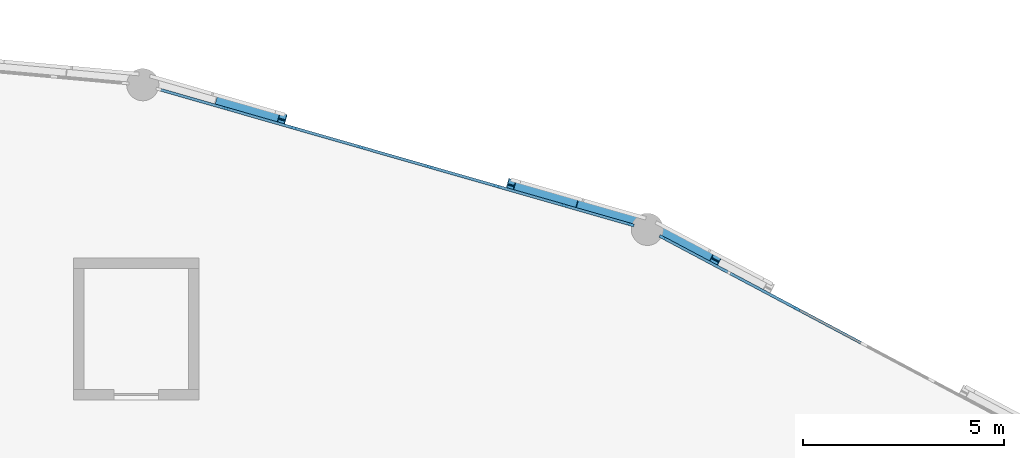
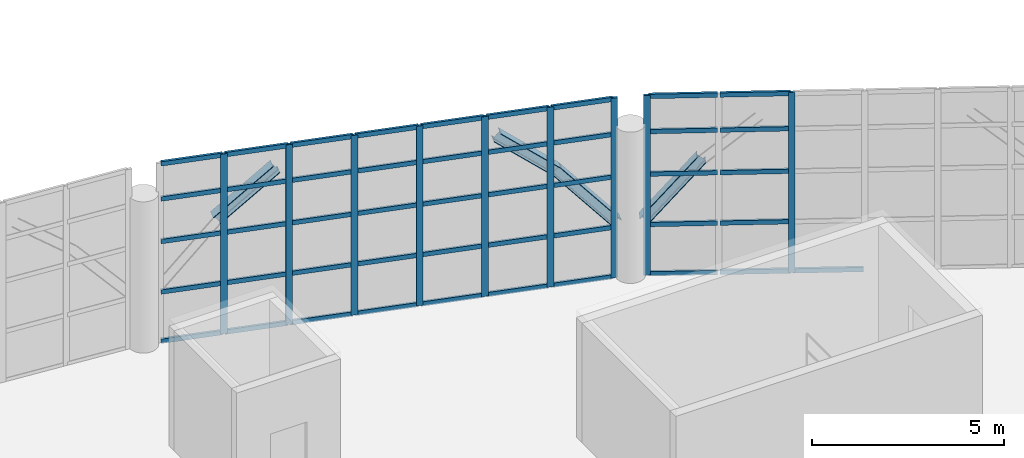
# One storey, part 44 of 109: 55 members, 4 beams, 2 elements without a shape of their own.
"""IFC4 building model written with IfcOpenShell, lengths in metres."""

from ifc_helpers import new_model, si_unit, direction, frame, origin, origin_2d, place, context, subcontext, project, spatial, rectangle, i_section, extrude, material, layer, layer_set, material_profile, profile_set, type_object, element, aggregate, save


model = new_model("IFC4")

# Units and contexts
model_context = context("Model", 3, precision=1e-05, world=origin(), true_north=direction((0.0, 1.0)))
body_context = subcontext(model_context, "Body", "Model", "MODEL_VIEW")
ifc_project = project(units=[si_unit("LENGTHUNIT", "METRE"), si_unit("AREAUNIT", "SQUARE_METRE"), si_unit("VOLUMEUNIT", "CUBIC_METRE"), si_unit("PLANEANGLEUNIT", "RADIAN"), si_unit("MASSUNIT", "GRAM", prefix="KILO")], contexts=[model_context])

# Site, building, storey
site_placement = place(None, origin())
site = spatial("IfcSite", under=ifc_project, at=site_placement, CompositionType="ELEMENT")
building_placement = place(site_placement, origin())
building = spatial("IfcBuilding", under=site, at=building_placement, Name="Kivolera Central Railway Station", CompositionType="ELEMENT")
storey_placement = place(building_placement, frame((0.0, 0.0, 9.60009765625)))
storey = spatial("IfcBuildingStorey", under=building, at=storey_placement, Name="L02", CompositionType="ELEMENT", Elevation=9.60009765625)

# Beams
ifc_material_1 = material(Name="Steel S355", Category="steel")
ifc_material_profile_1 = material_profile(ifc_material_1, i_section(OverallWidth=0.300048828125, OverallDepth=0.300048828125, WebThickness=0.010986328125, FlangeThickness=0.01904296875, FilletRadius=0.027099609375, at=origin_2d()), Name="HEB 300")
ifc_profile_set_1 = profile_set([ifc_material_profile_1], Name="Steel S355")
beam_type = type_object("IfcBeamType", Name="BM-LANT-ARCH", PredefinedType="SPANDREL", material=ifc_profile_set_1)
beam_1_placement = place(storey_placement, frame((91.68798828125, 120.416015625, 3.599853515625), z_axis=(-0.545509681166, 0.289732540923, -0.786431333611), x_axis=(-0.469067500221, -0.88316231817, 0.0)))
element("IfcBeam", 1, at=beam_1_placement, inside=storey, type_object=beam_type, Name="Oval Lantern Structural Arch Rib 04.6", PredefinedType="SPANDREL", context=body_context, shape_type="SweptSolid", body=[
    extrude(i_section(OverallWidth=0.300048828125, OverallDepth=0.300048828125, WebThickness=0.010986328125, FlangeThickness=0.01904296875, FilletRadius=0.027099609375, at=origin_2d()), origin(), (0.0, 0.0, 1.0), 2.415771484375),
])
beam_2_placement = place(storey_placement, frame((89.69189453125, 121.389892578125, 1.699951171875), z_axis=(-0.620136976598, 0.177813183125, 0.764076306505), x_axis=(-0.275625562891, -0.961265077427, 0.0)))
element("IfcBeam", 2, at=beam_2_placement, inside=storey, type_object=beam_type, Name="Oval Lantern Structural Arch Rib 05.1", PredefinedType="SPANDREL", context=body_context, shape_type="SweptSolid", body=[
    extrude(i_section(OverallWidth=0.300048828125, OverallDepth=0.300048828125, WebThickness=0.010986328125, FlangeThickness=0.01904296875, FilletRadius=0.027099609375, at=origin_2d()), origin(), (0.0, 0.0, 1.0), 2.486572265625),
])
beam_3_placement = place(storey_placement, frame((88.14990234375, 121.83203125, 3.599853515625), z_axis=(-0.732995328779, 0.210190358855, 0.646945021646), x_axis=(-0.275646238787, -0.961259148743, 0.0)))
element("IfcBeam", 3, at=beam_3_placement, inside=storey, type_object=beam_type, Name="Oval Lantern Structural Arch Rib 05.2", PredefinedType="SPANDREL", context=body_context, shape_type="SweptSolid", body=[
    extrude(i_section(OverallWidth=0.300048828125, OverallDepth=0.300048828125, WebThickness=0.010986328125, FlangeThickness=0.01904296875, FilletRadius=0.027099609375, at=origin_2d()), origin(), (0.0, 0.0, 1.0), 2.102294921875),
])
beam_4_placement = place(storey_placement, frame((80.9169921875, 123.906005859375, 4.9599609375), z_axis=(-0.733210155687, 0.21011880649, -0.646724790585), x_axis=(-0.275484921, -0.961305392839, 0.0)))
element("IfcBeam", 4, at=beam_4_placement, inside=storey, type_object=beam_type, Name="Oval Lantern Structural Arch Rib 05.5", PredefinedType="SPANDREL", context=body_context, shape_type="SweptSolid", body=[
    extrude(i_section(OverallWidth=0.300048828125, OverallDepth=0.300048828125, WebThickness=0.010986328125, FlangeThickness=0.01904296875, FilletRadius=0.027099609375, at=origin_2d()), origin(), (0.0, 0.0, 1.0), 2.10302734375),
])

# Curtain wall, members
ifc_material_2 = material(Name="Anodised aluminium", Category="aluminium")
ifc_layer_1 = layer(ifc_material_2, 0.179931640625, Name="Anodised aluminium")
ifc_layer_set_1 = layer_set([ifc_layer_1], Name="Anodised aluminium")
curtain_wall_type_1 = type_object("IfcCurtainWallType", Name="CW-SYS-09", PredefinedType="NOTDEFINED", material=ifc_layer_set_1)
curtain_wall_1_placement = place(storey_placement, origin())
curtain_wall_1 = element("IfcCurtainWall", 5, at=curtain_wall_1_placement, inside=storey, type_object=curtain_wall_type_1, Name="L02 Curtain Wall CW-L02-OVL-03", PredefinedType="NOTDEFINED")
ifc_material_profile_2 = material_profile(ifc_material_2, rectangle(XDim=0.070068359375, YDim=0.179931640625, at=origin_2d()), Name="ALU MULL 70x180")
ifc_profile_set_2 = profile_set([ifc_material_profile_2], Name="Anodised aluminium")
member_type_1 = type_object("IfcMemberType", Name="CWM-MUL-1", PredefinedType="MULLION", material=ifc_profile_set_2)
member_1_placement = place(storey_placement, frame((90.3837890625, 120.97265625, -0.005126953125), z_axis=(0.0, 0.0, 1.0), x_axis=(0.469052563023, 0.883170251493, 0.0)))
member_1 = element("IfcMember", 6, at=member_1_placement, type_object=member_type_1, Name="CW-09 mullion 1", PredefinedType="MULLION", context=body_context, shape_type="SweptSolid", body=[
    extrude(rectangle(XDim=0.070068359375, YDim=0.179931640625, at=origin_2d()), origin(), (0.0, 0.0, 1.0), 5.705078125),
])
member_2_placement = place(storey_placement, frame((93.707763671875, 119.207275390625, -0.005126953125), z_axis=(0.0, 0.0, 1.0), x_axis=(0.469052563023, 0.883170251493, 0.0)))
member_2 = element("IfcMember", 7, at=member_2_placement, type_object=member_type_1, Name="CW-09 mullion 3", PredefinedType="MULLION", context=body_context, shape_type="SweptSolid", body=[
    extrude(rectangle(XDim=0.070068359375, YDim=0.179931640625, at=origin_2d()), origin(), (0.0, 0.0, 1.0), 5.705078125),
])

ifc_layer_2 = layer(ifc_material_2, 0.179931640625, Name="Anodised aluminium")
ifc_layer_set_2 = layer_set([ifc_layer_2], Name="Anodised aluminium")
curtain_wall_type_2 = type_object("IfcCurtainWallType", Name="CW-SYS-11", PredefinedType="NOTDEFINED", material=ifc_layer_set_2)
curtain_wall_2_placement = place(storey_placement, origin())
curtain_wall_2 = element("IfcCurtainWall", 8, at=curtain_wall_2_placement, inside=storey, type_object=curtain_wall_type_2, Name="L02 Curtain Wall CW-L02-OVL-04", PredefinedType="NOTDEFINED")
member_3_placement = place(storey_placement, frame((79.525634765625, 124.1806640625, -0.005126953125), z_axis=(0.0, 0.0, 1.0), x_axis=(0.27569168989, 0.961246114232, 0.0)))
member_3 = element("IfcMember", 9, at=member_3_placement, type_object=member_type_1, Name="CW-11 mullion 2", PredefinedType="MULLION", context=body_context, shape_type="SweptSolid", body=[
    extrude(rectangle(XDim=0.070068359375, YDim=0.179931640625, at=origin_2d()), origin(), (0.0, 0.0, 1.0), 5.705078125),
])
member_4_placement = place(storey_placement, frame((81.20703125, 123.698486328125, -0.005126953125), z_axis=(0.0, 0.0, 1.0), x_axis=(0.27569168989, 0.961246114232, 0.0)))
member_4 = element("IfcMember", 10, at=member_4_placement, type_object=member_type_1, Name="CW-11 mullion 3", PredefinedType="MULLION", context=body_context, shape_type="SweptSolid", body=[
    extrude(rectangle(XDim=0.070068359375, YDim=0.179931640625, at=origin_2d()), origin(), (0.0, 0.0, 1.0), 5.705078125),
])
member_5_placement = place(storey_placement, frame((82.888671875, 123.216064453125, -0.005126953125), z_axis=(0.0, 0.0, 1.0), x_axis=(0.27569168989, 0.961246114232, 0.0)))
member_5 = element("IfcMember", 11, at=member_5_placement, type_object=member_type_1, Name="CW-11 mullion 4", PredefinedType="MULLION", context=body_context, shape_type="SweptSolid", body=[
    extrude(rectangle(XDim=0.070068359375, YDim=0.179931640625, at=origin_2d()), origin(), (0.0, 0.0, 1.0), 5.705078125),
])
member_6_placement = place(storey_placement, frame((84.5703125, 122.73388671875, -0.005126953125), z_axis=(0.0, 0.0, 1.0), x_axis=(0.27569168989, 0.961246114232, 0.0)))
member_6 = element("IfcMember", 12, at=member_6_placement, type_object=member_type_1, Name="CW-11 mullion 5", PredefinedType="MULLION", context=body_context, shape_type="SweptSolid", body=[
    extrude(rectangle(XDim=0.070068359375, YDim=0.179931640625, at=origin_2d()), origin(), (0.0, 0.0, 1.0), 5.705078125),
])
member_7_placement = place(storey_placement, frame((86.251953125, 122.25146484375, -0.005126953125), z_axis=(0.0, 0.0, 1.0), x_axis=(0.27569168989, 0.961246114232, 0.0)))
member_7 = element("IfcMember", 13, at=member_7_placement, type_object=member_type_1, Name="CW-11 mullion 6", PredefinedType="MULLION", context=body_context, shape_type="SweptSolid", body=[
    extrude(rectangle(XDim=0.070068359375, YDim=0.179931640625, at=origin_2d()), origin(), (0.0, 0.0, 1.0), 5.705078125),
])
member_8_placement = place(storey_placement, frame((87.933349609375, 121.769287109375, -0.005126953125), z_axis=(0.0, 0.0, 1.0), x_axis=(0.27569168989, 0.961246114232, 0.0)))
member_8 = element("IfcMember", 14, at=member_8_placement, type_object=member_type_1, Name="CW-11 mullion 7", PredefinedType="MULLION", context=body_context, shape_type="SweptSolid", body=[
    extrude(rectangle(XDim=0.070068359375, YDim=0.179931640625, at=origin_2d()), origin(), (0.0, 0.0, 1.0), 5.705078125),
])
member_9_placement = place(storey_placement, frame((89.581298828125, 121.296630859375, -0.005126953125), z_axis=(0.0, 0.0, 1.0), x_axis=(0.27569168989, 0.961246114232, 0.0)))
member_9 = element("IfcMember", 15, at=member_9_placement, type_object=member_type_1, Name="CW-11 mullion 8", PredefinedType="MULLION", context=body_context, shape_type="SweptSolid", body=[
    extrude(rectangle(XDim=0.070068359375, YDim=0.179931640625, at=origin_2d()), origin(), (0.0, 0.0, 1.0), 5.705078125),
])

# Member
ifc_material_profile_3 = material_profile(ifc_material_2, rectangle(XDim=0.070068359375, YDim=0.139892578125, at=origin_2d()), Name="ALU TRAN 70x140")
ifc_profile_set_3 = profile_set([ifc_material_profile_3], Name="Anodised aluminium")
member_type_2 = type_object("IfcMemberType", Name="CWM-TRN-1", PredefinedType="USERDEFINED", material=ifc_profile_set_3)
member_10_placement = place(storey_placement, frame((90.414794921875, 120.9560546875, 0.034912109375), z_axis=(0.883191460259, -0.469012627255, 0.0), x_axis=(0.469012627255, 0.883191460259, 0.0)))
member_10 = element("IfcMember", 16, at=member_10_placement, type_object=member_type_2, Name="CW-09 transom 1.1", ObjectType="TRANSOM", PredefinedType="USERDEFINED", context=body_context, shape_type="SweptSolid", body=[
    extrude(rectangle(XDim=0.070068359375, YDim=0.139892578125, at=origin_2d()), origin(), (0.0, 0.0, 1.0), 1.794189453125),
])

member_11_placement = place(storey_placement, frame((90.414794921875, 120.9560546875, 1.599853515625), z_axis=(0.883191460259, -0.469012627255, 0.0), x_axis=(0.469012627255, 0.883191460259, 0.0)))
member_11 = element("IfcMember", 17, at=member_11_placement, type_object=member_type_2, Name="CW-09 transom 1.2", ObjectType="TRANSOM", PredefinedType="USERDEFINED", context=body_context, shape_type="SweptSolid", body=[
    extrude(rectangle(XDim=0.070068359375, YDim=0.139892578125, at=origin_2d()), origin(), (0.0, 0.0, 1.0), 1.794189453125),
])

member_12_placement = place(storey_placement, frame((90.414794921875, 120.9560546875, 3.199951171875), z_axis=(0.883191460259, -0.469012627255, 0.0), x_axis=(0.469012627255, 0.883191460259, 0.0)))
member_12 = element("IfcMember", 18, at=member_12_placement, type_object=member_type_2, Name="CW-09 transom 1.3", ObjectType="TRANSOM", PredefinedType="USERDEFINED", context=body_context, shape_type="SweptSolid", body=[
    extrude(rectangle(XDim=0.070068359375, YDim=0.139892578125, at=origin_2d()), origin(), (0.0, 0.0, 1.0), 1.794189453125),
])

member_13_placement = place(storey_placement, frame((90.414794921875, 120.9560546875, 4.5498046875), z_axis=(0.883191460259, -0.469012627255, 0.0), x_axis=(0.469012627255, 0.883191460259, 0.0)))
member_13 = element("IfcMember", 19, at=member_13_placement, type_object=member_type_2, Name="CW-09 transom 1.4", ObjectType="TRANSOM", PredefinedType="USERDEFINED", context=body_context, shape_type="SweptSolid", body=[
    extrude(rectangle(XDim=0.070068359375, YDim=0.139892578125, at=origin_2d()), origin(), (0.0, 0.0, 1.0), 1.794189453125),
])

member_14_placement = place(storey_placement, frame((90.414794921875, 120.9560546875, 5.664794921875), z_axis=(0.883191460259, -0.469012627255, 0.0), x_axis=(0.469012627255, 0.883191460259, 0.0)))
member_14 = element("IfcMember", 20, at=member_14_placement, type_object=member_type_2, Name="CW-09 transom 1.5", ObjectType="TRANSOM", PredefinedType="USERDEFINED", context=body_context, shape_type="SweptSolid", body=[
    extrude(rectangle(XDim=0.070068359375, YDim=0.139892578125, at=origin_2d()), origin(), (0.0, 0.0, 1.0), 1.794189453125),
])

member_15_placement = place(storey_placement, frame((92.061279296875, 120.081787109375, 0.034912109375), z_axis=(0.883131271136, -0.469125951042, 0.0), x_axis=(0.469125951042, 0.883131271136, 0.0)))
member_15 = element("IfcMember", 21, at=member_15_placement, type_object=member_type_2, Name="CW-09 transom 2.1", ObjectType="TRANSOM", PredefinedType="USERDEFINED", context=body_context, shape_type="SweptSolid", body=[
    extrude(rectangle(XDim=0.070068359375, YDim=0.139892578125, at=origin_2d()), origin(), (0.0, 0.0, 1.0), 1.829345703125),
])

member_16_placement = place(storey_placement, frame((92.061279296875, 120.081787109375, 1.599853515625), z_axis=(0.883131271136, -0.469125951042, 0.0), x_axis=(0.469125951042, 0.883131271136, 0.0)))
member_16 = element("IfcMember", 22, at=member_16_placement, type_object=member_type_2, Name="CW-09 transom 2.2", ObjectType="TRANSOM", PredefinedType="USERDEFINED", context=body_context, shape_type="SweptSolid", body=[
    extrude(rectangle(XDim=0.070068359375, YDim=0.139892578125, at=origin_2d()), origin(), (0.0, 0.0, 1.0), 1.829345703125),
])

member_17_placement = place(storey_placement, frame((92.061279296875, 120.081787109375, 3.199951171875), z_axis=(0.883131271136, -0.469125951042, 0.0), x_axis=(0.469125951042, 0.883131271136, 0.0)))
member_17 = element("IfcMember", 23, at=member_17_placement, type_object=member_type_2, Name="CW-09 transom 2.3", ObjectType="TRANSOM", PredefinedType="USERDEFINED", context=body_context, shape_type="SweptSolid", body=[
    extrude(rectangle(XDim=0.070068359375, YDim=0.139892578125, at=origin_2d()), origin(), (0.0, 0.0, 1.0), 1.829345703125),
])

member_18_placement = place(storey_placement, frame((92.061279296875, 120.081787109375, 4.5498046875), z_axis=(0.883131271136, -0.469125951042, 0.0), x_axis=(0.469125951042, 0.883131271136, 0.0)))
member_18 = element("IfcMember", 24, at=member_18_placement, type_object=member_type_2, Name="CW-09 transom 2.4", ObjectType="TRANSOM", PredefinedType="USERDEFINED", context=body_context, shape_type="SweptSolid", body=[
    extrude(rectangle(XDim=0.070068359375, YDim=0.139892578125, at=origin_2d()), origin(), (0.0, 0.0, 1.0), 1.829345703125),
])

member_19_placement = place(storey_placement, frame((92.061279296875, 120.081787109375, 5.664794921875), z_axis=(0.883131271136, -0.469125951042, 0.0), x_axis=(0.469125951042, 0.883131271136, 0.0)))
member_19 = element("IfcMember", 25, at=member_19_placement, type_object=member_type_2, Name="CW-09 transom 2.5", ObjectType="TRANSOM", PredefinedType="USERDEFINED", context=body_context, shape_type="SweptSolid", body=[
    extrude(rectangle(XDim=0.070068359375, YDim=0.139892578125, at=origin_2d()), origin(), (0.0, 0.0, 1.0), 1.829345703125),
])

member_20_placement = place(storey_placement, frame((93.738525390625, 119.19091796875, 0.034912109375), z_axis=(0.88318656257, -0.469021849913, 0.0), x_axis=(0.469021849913, 0.88318656257, 0.0)))
member_20 = element("IfcMember", 26, at=member_20_placement, type_object=member_type_2, Name="CW-09 transom 3.1", ObjectType="TRANSOM", PredefinedType="USERDEFINED", context=body_context, shape_type="SweptSolid", body=[
    extrude(rectangle(XDim=0.070068359375, YDim=0.139892578125, at=origin_2d()), origin(), (0.0, 0.0, 1.0), 1.8291015625),
])

aggregate(curtain_wall_1, [member_1, member_2, member_10, member_11, member_12, member_13, member_14, member_15, member_16, member_17, member_18, member_19, member_20])

member_21_placement = place(storey_placement, frame((77.911376953125, 124.643798828125, 0.034912109375), z_axis=(0.961237680042, -0.275721095434, 0.0), x_axis=(0.275721095434, 0.961237680042, 0.0)))
member_21 = element("IfcMember", 27, at=member_21_placement, type_object=member_type_2, Name="CW-11 transom 1.1", ObjectType="TRANSOM", PredefinedType="USERDEFINED", context=body_context, shape_type="SweptSolid", body=[
    extrude(rectangle(XDim=0.070068359375, YDim=0.139892578125, at=origin_2d()), origin(), (0.0, 0.0, 1.0), 1.644287109375),
])

member_22_placement = place(storey_placement, frame((77.911376953125, 124.643798828125, 1.599853515625), z_axis=(0.961237680042, -0.275721095434, 0.0), x_axis=(0.275721095434, 0.961237680042, 0.0)))
member_22 = element("IfcMember", 28, at=member_22_placement, type_object=member_type_2, Name="CW-11 transom 1.2", ObjectType="TRANSOM", PredefinedType="USERDEFINED", context=body_context, shape_type="SweptSolid", body=[
    extrude(rectangle(XDim=0.070068359375, YDim=0.139892578125, at=origin_2d()), origin(), (0.0, 0.0, 1.0), 1.644287109375),
])

member_23_placement = place(storey_placement, frame((77.911376953125, 124.643798828125, 3.199951171875), z_axis=(0.961237680042, -0.275721095434, 0.0), x_axis=(0.275721095434, 0.961237680042, 0.0)))
member_23 = element("IfcMember", 29, at=member_23_placement, type_object=member_type_2, Name="CW-11 transom 1.3", ObjectType="TRANSOM", PredefinedType="USERDEFINED", context=body_context, shape_type="SweptSolid", body=[
    extrude(rectangle(XDim=0.070068359375, YDim=0.139892578125, at=origin_2d()), origin(), (0.0, 0.0, 1.0), 1.644287109375),
])

member_24_placement = place(storey_placement, frame((77.911376953125, 124.643798828125, 4.5498046875), z_axis=(0.961237680042, -0.275721095434, 0.0), x_axis=(0.275721095434, 0.961237680042, 0.0)))
member_24 = element("IfcMember", 30, at=member_24_placement, type_object=member_type_2, Name="CW-11 transom 1.4", ObjectType="TRANSOM", PredefinedType="USERDEFINED", context=body_context, shape_type="SweptSolid", body=[
    extrude(rectangle(XDim=0.070068359375, YDim=0.139892578125, at=origin_2d()), origin(), (0.0, 0.0, 1.0), 1.644287109375),
])

member_25_placement = place(storey_placement, frame((77.911376953125, 124.643798828125, 5.664794921875), z_axis=(0.961237680042, -0.275721095434, 0.0), x_axis=(0.275721095434, 0.961237680042, 0.0)))
member_25 = element("IfcMember", 31, at=member_25_placement, type_object=member_type_2, Name="CW-11 transom 1.5", ObjectType="TRANSOM", PredefinedType="USERDEFINED", context=body_context, shape_type="SweptSolid", body=[
    extrude(rectangle(XDim=0.070068359375, YDim=0.139892578125, at=origin_2d()), origin(), (0.0, 0.0, 1.0), 1.644287109375),
])

member_26_placement = place(storey_placement, frame((79.559326171875, 124.171142578125, 0.034912109375), z_axis=(0.961221645359, -0.275776990509, 0.0), x_axis=(0.275776990509, 0.961221645359, 0.0)))
member_26 = element("IfcMember", 32, at=member_26_placement, type_object=member_type_2, Name="CW-11 transom 2.1", ObjectType="TRANSOM", PredefinedType="USERDEFINED", context=body_context, shape_type="SweptSolid", body=[
    extrude(rectangle(XDim=0.070068359375, YDim=0.139892578125, at=origin_2d()), origin(), (0.0, 0.0, 1.0), 1.679443359375),
])

member_27_placement = place(storey_placement, frame((79.559326171875, 124.171142578125, 1.599853515625), z_axis=(0.961221645359, -0.275776990509, 0.0), x_axis=(0.275776990509, 0.961221645359, 0.0)))
member_27 = element("IfcMember", 33, at=member_27_placement, type_object=member_type_2, Name="CW-11 transom 2.2", ObjectType="TRANSOM", PredefinedType="USERDEFINED", context=body_context, shape_type="SweptSolid", body=[
    extrude(rectangle(XDim=0.070068359375, YDim=0.139892578125, at=origin_2d()), origin(), (0.0, 0.0, 1.0), 1.679443359375),
])

member_28_placement = place(storey_placement, frame((79.559326171875, 124.171142578125, 3.199951171875), z_axis=(0.961221645359, -0.275776990509, 0.0), x_axis=(0.275776990509, 0.961221645359, 0.0)))
member_28 = element("IfcMember", 34, at=member_28_placement, type_object=member_type_2, Name="CW-11 transom 2.3", ObjectType="TRANSOM", PredefinedType="USERDEFINED", context=body_context, shape_type="SweptSolid", body=[
    extrude(rectangle(XDim=0.070068359375, YDim=0.139892578125, at=origin_2d()), origin(), (0.0, 0.0, 1.0), 1.679443359375),
])

member_29_placement = place(storey_placement, frame((79.559326171875, 124.171142578125, 4.5498046875), z_axis=(0.961221645359, -0.275776990509, 0.0), x_axis=(0.275776990509, 0.961221645359, 0.0)))
member_29 = element("IfcMember", 35, at=member_29_placement, type_object=member_type_2, Name="CW-11 transom 2.4", ObjectType="TRANSOM", PredefinedType="USERDEFINED", context=body_context, shape_type="SweptSolid", body=[
    extrude(rectangle(XDim=0.070068359375, YDim=0.139892578125, at=origin_2d()), origin(), (0.0, 0.0, 1.0), 1.679443359375),
])

member_30_placement = place(storey_placement, frame((79.559326171875, 124.171142578125, 5.664794921875), z_axis=(0.961221645359, -0.275776990509, 0.0), x_axis=(0.275776990509, 0.961221645359, 0.0)))
member_30 = element("IfcMember", 36, at=member_30_placement, type_object=member_type_2, Name="CW-11 transom 2.5", ObjectType="TRANSOM", PredefinedType="USERDEFINED", context=body_context, shape_type="SweptSolid", body=[
    extrude(rectangle(XDim=0.070068359375, YDim=0.139892578125, at=origin_2d()), origin(), (0.0, 0.0, 1.0), 1.679443359375),
])

member_31_placement = place(storey_placement, frame((81.24072265625, 123.688720703125, 0.034912109375), z_axis=(0.961260174018, -0.27564266333, 0.0), x_axis=(0.27564266333, 0.961260174018, 0.0)))
member_31 = element("IfcMember", 37, at=member_31_placement, type_object=member_type_2, Name="CW-11 transom 3.1", ObjectType="TRANSOM", PredefinedType="USERDEFINED", context=body_context, shape_type="SweptSolid", body=[
    extrude(rectangle(XDim=0.070068359375, YDim=0.139892578125, at=origin_2d()), origin(), (0.0, 0.0, 1.0), 1.67919921875),
])

member_32_placement = place(storey_placement, frame((81.24072265625, 123.688720703125, 1.599853515625), z_axis=(0.961260174018, -0.27564266333, 0.0), x_axis=(0.27564266333, 0.961260174018, 0.0)))
member_32 = element("IfcMember", 38, at=member_32_placement, type_object=member_type_2, Name="CW-11 transom 3.2", ObjectType="TRANSOM", PredefinedType="USERDEFINED", context=body_context, shape_type="SweptSolid", body=[
    extrude(rectangle(XDim=0.070068359375, YDim=0.139892578125, at=origin_2d()), origin(), (0.0, 0.0, 1.0), 1.67919921875),
])

member_33_placement = place(storey_placement, frame((81.24072265625, 123.688720703125, 3.199951171875), z_axis=(0.961260174018, -0.27564266333, 0.0), x_axis=(0.27564266333, 0.961260174018, 0.0)))
member_33 = element("IfcMember", 39, at=member_33_placement, type_object=member_type_2, Name="CW-11 transom 3.3", ObjectType="TRANSOM", PredefinedType="USERDEFINED", context=body_context, shape_type="SweptSolid", body=[
    extrude(rectangle(XDim=0.070068359375, YDim=0.139892578125, at=origin_2d()), origin(), (0.0, 0.0, 1.0), 1.67919921875),
])

member_34_placement = place(storey_placement, frame((81.24072265625, 123.688720703125, 4.5498046875), z_axis=(0.961260174018, -0.27564266333, 0.0), x_axis=(0.27564266333, 0.961260174018, 0.0)))
member_34 = element("IfcMember", 40, at=member_34_placement, type_object=member_type_2, Name="CW-11 transom 3.4", ObjectType="TRANSOM", PredefinedType="USERDEFINED", context=body_context, shape_type="SweptSolid", body=[
    extrude(rectangle(XDim=0.070068359375, YDim=0.139892578125, at=origin_2d()), origin(), (0.0, 0.0, 1.0), 1.67919921875),
])

member_35_placement = place(storey_placement, frame((81.24072265625, 123.688720703125, 5.664794921875), z_axis=(0.961260174018, -0.27564266333, 0.0), x_axis=(0.27564266333, 0.961260174018, 0.0)))
member_35 = element("IfcMember", 41, at=member_35_placement, type_object=member_type_2, Name="CW-11 transom 3.5", ObjectType="TRANSOM", PredefinedType="USERDEFINED", context=body_context, shape_type="SweptSolid", body=[
    extrude(rectangle(XDim=0.070068359375, YDim=0.139892578125, at=origin_2d()), origin(), (0.0, 0.0, 1.0), 1.67919921875),
])

member_36_placement = place(storey_placement, frame((82.92236328125, 123.20654296875, 0.034912109375), z_axis=(0.961221645359, -0.275776990509, 0.0), x_axis=(0.275776990509, 0.961221645359, 0.0)))
member_36 = element("IfcMember", 42, at=member_36_placement, type_object=member_type_2, Name="CW-11 transom 4.1", ObjectType="TRANSOM", PredefinedType="USERDEFINED", context=body_context, shape_type="SweptSolid", body=[
    extrude(rectangle(XDim=0.070068359375, YDim=0.139892578125, at=origin_2d()), origin(), (0.0, 0.0, 1.0), 1.679443359375),
])

member_37_placement = place(storey_placement, frame((82.92236328125, 123.20654296875, 1.599853515625), z_axis=(0.961221645359, -0.275776990509, 0.0), x_axis=(0.275776990509, 0.961221645359, 0.0)))
member_37 = element("IfcMember", 43, at=member_37_placement, type_object=member_type_2, Name="CW-11 transom 4.2", ObjectType="TRANSOM", PredefinedType="USERDEFINED", context=body_context, shape_type="SweptSolid", body=[
    extrude(rectangle(XDim=0.070068359375, YDim=0.139892578125, at=origin_2d()), origin(), (0.0, 0.0, 1.0), 1.679443359375),
])

member_38_placement = place(storey_placement, frame((82.92236328125, 123.20654296875, 3.199951171875), z_axis=(0.961221645359, -0.275776990509, 0.0), x_axis=(0.275776990509, 0.961221645359, 0.0)))
member_38 = element("IfcMember", 44, at=member_38_placement, type_object=member_type_2, Name="CW-11 transom 4.3", ObjectType="TRANSOM", PredefinedType="USERDEFINED", context=body_context, shape_type="SweptSolid", body=[
    extrude(rectangle(XDim=0.070068359375, YDim=0.139892578125, at=origin_2d()), origin(), (0.0, 0.0, 1.0), 1.679443359375),
])

member_39_placement = place(storey_placement, frame((82.92236328125, 123.20654296875, 4.5498046875), z_axis=(0.961221645359, -0.275776990509, 0.0), x_axis=(0.275776990509, 0.961221645359, 0.0)))
member_39 = element("IfcMember", 45, at=member_39_placement, type_object=member_type_2, Name="CW-11 transom 4.4", ObjectType="TRANSOM", PredefinedType="USERDEFINED", context=body_context, shape_type="SweptSolid", body=[
    extrude(rectangle(XDim=0.070068359375, YDim=0.139892578125, at=origin_2d()), origin(), (0.0, 0.0, 1.0), 1.679443359375),
])

member_40_placement = place(storey_placement, frame((82.92236328125, 123.20654296875, 5.664794921875), z_axis=(0.961221645359, -0.275776990509, 0.0), x_axis=(0.275776990509, 0.961221645359, 0.0)))
member_40 = element("IfcMember", 46, at=member_40_placement, type_object=member_type_2, Name="CW-11 transom 4.5", ObjectType="TRANSOM", PredefinedType="USERDEFINED", context=body_context, shape_type="SweptSolid", body=[
    extrude(rectangle(XDim=0.070068359375, YDim=0.139892578125, at=origin_2d()), origin(), (0.0, 0.0, 1.0), 1.679443359375),
])

member_41_placement = place(storey_placement, frame((84.60400390625, 122.72412109375, 0.034912109375), z_axis=(0.961260174018, -0.27564266333, 0.0), x_axis=(0.27564266333, 0.961260174018, 0.0)))
member_41 = element("IfcMember", 47, at=member_41_placement, type_object=member_type_2, Name="CW-11 transom 5.1", ObjectType="TRANSOM", PredefinedType="USERDEFINED", context=body_context, shape_type="SweptSolid", body=[
    extrude(rectangle(XDim=0.070068359375, YDim=0.139892578125, at=origin_2d()), origin(), (0.0, 0.0, 1.0), 1.67919921875),
])

member_42_placement = place(storey_placement, frame((84.60400390625, 122.72412109375, 1.599853515625), z_axis=(0.961260174018, -0.27564266333, 0.0), x_axis=(0.27564266333, 0.961260174018, 0.0)))
member_42 = element("IfcMember", 48, at=member_42_placement, type_object=member_type_2, Name="CW-11 transom 5.2", ObjectType="TRANSOM", PredefinedType="USERDEFINED", context=body_context, shape_type="SweptSolid", body=[
    extrude(rectangle(XDim=0.070068359375, YDim=0.139892578125, at=origin_2d()), origin(), (0.0, 0.0, 1.0), 1.67919921875),
])

member_43_placement = place(storey_placement, frame((84.60400390625, 122.72412109375, 3.199951171875), z_axis=(0.961260174018, -0.27564266333, 0.0), x_axis=(0.27564266333, 0.961260174018, 0.0)))
member_43 = element("IfcMember", 49, at=member_43_placement, type_object=member_type_2, Name="CW-11 transom 5.3", ObjectType="TRANSOM", PredefinedType="USERDEFINED", context=body_context, shape_type="SweptSolid", body=[
    extrude(rectangle(XDim=0.070068359375, YDim=0.139892578125, at=origin_2d()), origin(), (0.0, 0.0, 1.0), 1.67919921875),
])

member_44_placement = place(storey_placement, frame((84.60400390625, 122.72412109375, 4.5498046875), z_axis=(0.961260174018, -0.27564266333, 0.0), x_axis=(0.27564266333, 0.961260174018, 0.0)))
member_44 = element("IfcMember", 50, at=member_44_placement, type_object=member_type_2, Name="CW-11 transom 5.4", ObjectType="TRANSOM", PredefinedType="USERDEFINED", context=body_context, shape_type="SweptSolid", body=[
    extrude(rectangle(XDim=0.070068359375, YDim=0.139892578125, at=origin_2d()), origin(), (0.0, 0.0, 1.0), 1.67919921875),
])

member_45_placement = place(storey_placement, frame((84.60400390625, 122.72412109375, 5.664794921875), z_axis=(0.961260174018, -0.27564266333, 0.0), x_axis=(0.27564266333, 0.961260174018, 0.0)))
member_45 = element("IfcMember", 51, at=member_45_placement, type_object=member_type_2, Name="CW-11 transom 5.5", ObjectType="TRANSOM", PredefinedType="USERDEFINED", context=body_context, shape_type="SweptSolid", body=[
    extrude(rectangle(XDim=0.070068359375, YDim=0.139892578125, at=origin_2d()), origin(), (0.0, 0.0, 1.0), 1.67919921875),
])

member_46_placement = place(storey_placement, frame((86.285400390625, 122.241943359375, 0.034912109375), z_axis=(0.961271217599, -0.275604147674, 0.0), x_axis=(0.275604147674, 0.961271217599, 0.0)))
member_46 = element("IfcMember", 52, at=member_46_placement, type_object=member_type_2, Name="CW-11 transom 6.1", ObjectType="TRANSOM", PredefinedType="USERDEFINED", context=body_context, shape_type="SweptSolid", body=[
    extrude(rectangle(XDim=0.070068359375, YDim=0.139892578125, at=origin_2d()), origin(), (0.0, 0.0, 1.0), 1.679443359375),
])

member_47_placement = place(storey_placement, frame((86.285400390625, 122.241943359375, 1.599853515625), z_axis=(0.961271217599, -0.275604147674, 0.0), x_axis=(0.275604147674, 0.961271217599, 0.0)))
member_47 = element("IfcMember", 53, at=member_47_placement, type_object=member_type_2, Name="CW-11 transom 6.2", ObjectType="TRANSOM", PredefinedType="USERDEFINED", context=body_context, shape_type="SweptSolid", body=[
    extrude(rectangle(XDim=0.070068359375, YDim=0.139892578125, at=origin_2d()), origin(), (0.0, 0.0, 1.0), 1.679443359375),
])

member_48_placement = place(storey_placement, frame((86.285400390625, 122.241943359375, 3.199951171875), z_axis=(0.961271217599, -0.275604147674, 0.0), x_axis=(0.275604147674, 0.961271217599, 0.0)))
member_48 = element("IfcMember", 54, at=member_48_placement, type_object=member_type_2, Name="CW-11 transom 6.3", ObjectType="TRANSOM", PredefinedType="USERDEFINED", context=body_context, shape_type="SweptSolid", body=[
    extrude(rectangle(XDim=0.070068359375, YDim=0.139892578125, at=origin_2d()), origin(), (0.0, 0.0, 1.0), 1.679443359375),
])

member_49_placement = place(storey_placement, frame((86.285400390625, 122.241943359375, 4.5498046875), z_axis=(0.961271217599, -0.275604147674, 0.0), x_axis=(0.275604147674, 0.961271217599, 0.0)))
member_49 = element("IfcMember", 55, at=member_49_placement, type_object=member_type_2, Name="CW-11 transom 6.4", ObjectType="TRANSOM", PredefinedType="USERDEFINED", context=body_context, shape_type="SweptSolid", body=[
    extrude(rectangle(XDim=0.070068359375, YDim=0.139892578125, at=origin_2d()), origin(), (0.0, 0.0, 1.0), 1.679443359375),
])

member_50_placement = place(storey_placement, frame((86.285400390625, 122.241943359375, 5.664794921875), z_axis=(0.961271217599, -0.275604147674, 0.0), x_axis=(0.275604147674, 0.961271217599, 0.0)))
member_50 = element("IfcMember", 56, at=member_50_placement, type_object=member_type_2, Name="CW-11 transom 6.5", ObjectType="TRANSOM", PredefinedType="USERDEFINED", context=body_context, shape_type="SweptSolid", body=[
    extrude(rectangle(XDim=0.070068359375, YDim=0.139892578125, at=origin_2d()), origin(), (0.0, 0.0, 1.0), 1.679443359375),
])

member_51_placement = place(storey_placement, frame((87.967041015625, 121.759521484375, 0.034912109375), z_axis=(0.961277023143, -0.275583897892, 0.0), x_axis=(0.275583897892, 0.961277023143, 0.0)))
member_51 = element("IfcMember", 57, at=member_51_placement, type_object=member_type_2, Name="CW-11 transom 7.1", ObjectType="TRANSOM", PredefinedType="USERDEFINED", context=body_context, shape_type="SweptSolid", body=[
    extrude(rectangle(XDim=0.070068359375, YDim=0.139892578125, at=origin_2d()), origin(), (0.0, 0.0, 1.0), 1.644287109375),
])

member_52_placement = place(storey_placement, frame((87.967041015625, 121.759521484375, 1.599853515625), z_axis=(0.961277023143, -0.275583897892, 0.0), x_axis=(0.275583897892, 0.961277023143, 0.0)))
member_52 = element("IfcMember", 58, at=member_52_placement, type_object=member_type_2, Name="CW-11 transom 7.2", ObjectType="TRANSOM", PredefinedType="USERDEFINED", context=body_context, shape_type="SweptSolid", body=[
    extrude(rectangle(XDim=0.070068359375, YDim=0.139892578125, at=origin_2d()), origin(), (0.0, 0.0, 1.0), 1.644287109375),
])

member_53_placement = place(storey_placement, frame((87.967041015625, 121.759521484375, 3.199951171875), z_axis=(0.961277023143, -0.275583897892, 0.0), x_axis=(0.275583897892, 0.961277023143, 0.0)))
member_53 = element("IfcMember", 59, at=member_53_placement, type_object=member_type_2, Name="CW-11 transom 7.3", ObjectType="TRANSOM", PredefinedType="USERDEFINED", context=body_context, shape_type="SweptSolid", body=[
    extrude(rectangle(XDim=0.070068359375, YDim=0.139892578125, at=origin_2d()), origin(), (0.0, 0.0, 1.0), 1.644287109375),
])

member_54_placement = place(storey_placement, frame((87.967041015625, 121.759521484375, 4.5498046875), z_axis=(0.961277023143, -0.275583897892, 0.0), x_axis=(0.275583897892, 0.961277023143, 0.0)))
member_54 = element("IfcMember", 60, at=member_54_placement, type_object=member_type_2, Name="CW-11 transom 7.4", ObjectType="TRANSOM", PredefinedType="USERDEFINED", context=body_context, shape_type="SweptSolid", body=[
    extrude(rectangle(XDim=0.070068359375, YDim=0.139892578125, at=origin_2d()), origin(), (0.0, 0.0, 1.0), 1.644287109375),
])

member_55_placement = place(storey_placement, frame((87.967041015625, 121.759521484375, 5.664794921875), z_axis=(0.961277023143, -0.275583897892, 0.0), x_axis=(0.275583897892, 0.961277023143, 0.0)))
member_55 = element("IfcMember", 61, at=member_55_placement, type_object=member_type_2, Name="CW-11 transom 7.5", ObjectType="TRANSOM", PredefinedType="USERDEFINED", context=body_context, shape_type="SweptSolid", body=[
    extrude(rectangle(XDim=0.070068359375, YDim=0.139892578125, at=origin_2d()), origin(), (0.0, 0.0, 1.0), 1.644287109375),
])

aggregate(curtain_wall_2, [member_3, member_4, member_5, member_6, member_7, member_8, member_9, member_21, member_22, member_23, member_24, member_25, member_26, member_27, member_28, member_29, member_30, member_31, member_32, member_33, member_34, member_35, member_36, member_37, member_38, member_39, member_40, member_41, member_42, member_43, member_44, member_45, member_46, member_47, member_48, member_49, member_50, member_51, member_52, member_53, member_54, member_55])

save(model, "model.ifc")
